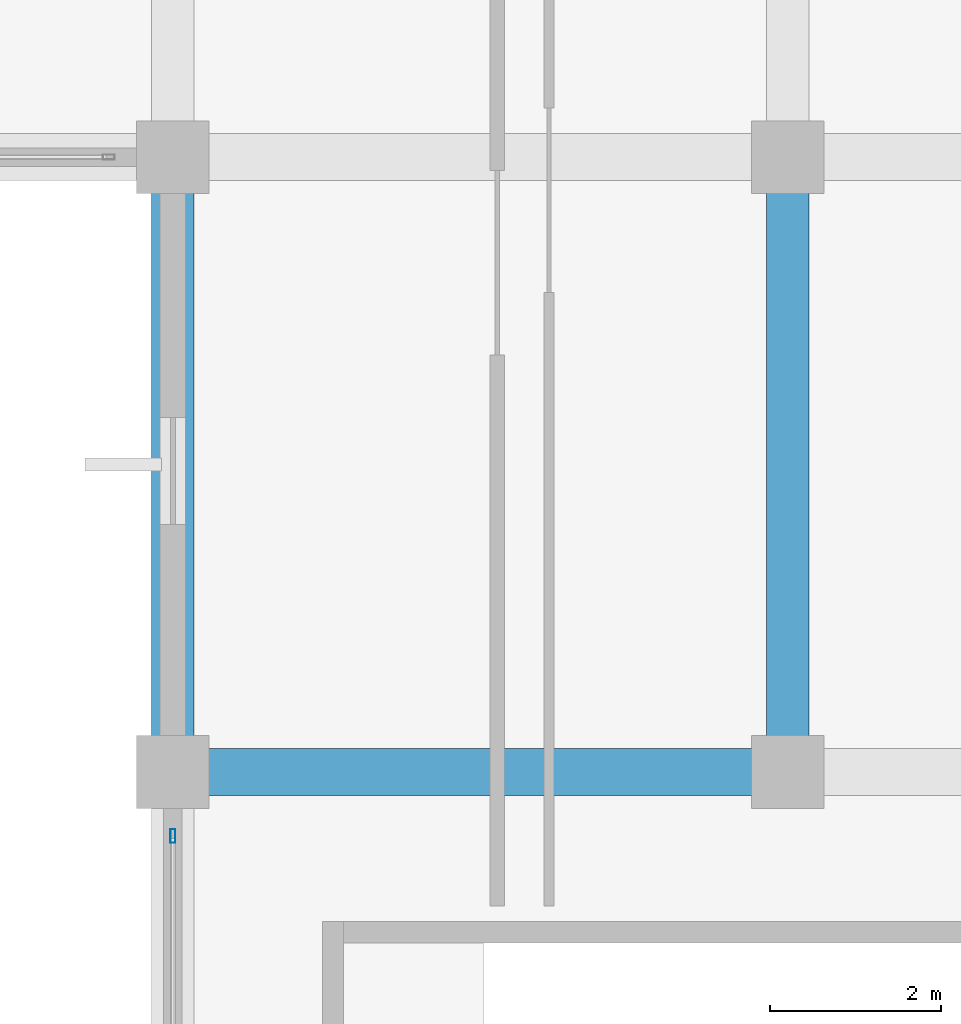
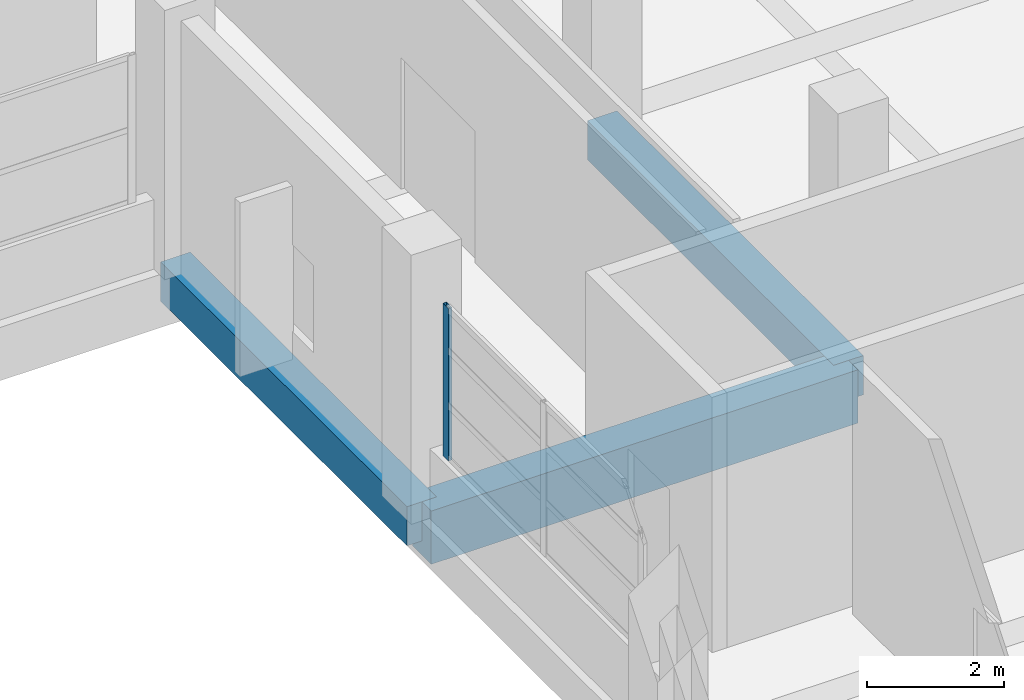
# One storey, part 129 of 181: 3 beams, 1 member, 1 element without a shape of its own.
"""IFC4 building model written with IfcOpenShell, lengths in metres."""

from ifc_helpers import new_model, si_unit, direction, frame, origin, origin_2d, place, context, subcontext, project, spatial, rectangle, hollow_rectangle, extrude, material, layer, layer_set, material_profile, profile_set, type_object, element, aggregate, save


model = new_model("IFC4")

# Units and contexts
model_context = context("Model", 3, precision=1e-05, world=origin(), true_north=direction((0.0, 1.0)))
body_context = subcontext(model_context, "Body", "Model", "MODEL_VIEW")
ifc_project = project(units=[si_unit("LENGTHUNIT", "METRE"), si_unit("AREAUNIT", "SQUARE_METRE"), si_unit("VOLUMEUNIT", "CUBIC_METRE"), si_unit("PLANEANGLEUNIT", "RADIAN"), si_unit("MASSUNIT", "GRAM", prefix="KILO")], contexts=[model_context])

# Site, building, storey
site_placement = place(None, origin())
site = spatial("IfcSite", under=ifc_project, at=site_placement, CompositionType="ELEMENT")
building_placement = place(site_placement, origin())
building = spatial("IfcBuilding", under=site, at=building_placement, Name="Seraya Terrace Polytechnic", CompositionType="ELEMENT")
storey_placement = place(building_placement, frame((0.0, 0.0, 4.800048828125)))
storey = spatial("IfcBuildingStorey", under=building, at=storey_placement, Name="L01", CompositionType="ELEMENT", Elevation=4.800048828125)

# Beams
ifc_material_1 = material(Name="Concrete C40/50", Category="concrete")
ifc_material_profile_1 = material_profile(ifc_material_1, rectangle(XDim=0.550048828125, YDim=0.949951171875, at=origin_2d()), Name="RC 550x950")
ifc_profile_set_1 = profile_set([ifc_material_profile_1], Name="Concrete C40/50")
beam_type_1 = type_object("IfcBeamType", Name="BM-03", PredefinedType="BEAM", material=ifc_profile_set_1)
beam_placement = place(storey_placement, frame((144.0, 64.800048828125, -0.47509765625), z_axis=(1.0, 0.0, 0.0), x_axis=(0.0, 1.0, 0.0)))
element("IfcBeam", 1, at=beam_placement, inside=storey, type_object=beam_type_1, Name="Beam BM-03 L01 X (144.0..151.2, 64.8)", PredefinedType="BEAM", context=body_context, shape_type="SweptSolid", body=[
    extrude(rectangle(XDim=0.550048828125, YDim=0.949951171875, at=origin_2d()), origin(), (0.0, 0.0, 1.0), 7.199951171875),
])
ifc_material_profile_2 = material_profile(ifc_material_1, rectangle(XDim=0.5, YDim=0.699951171875, at=origin_2d()), Name="RC 500x700")
ifc_profile_set_2 = profile_set([ifc_material_profile_2], Name="Concrete C40/50")
beam_type_2 = type_object("IfcBeamType", Name="BM-07", PredefinedType="BEAM", material=ifc_profile_set_2)
for number, where, z_axis, x_axis, name in (
    (2, (144.0, 64.800048828125, -0.35009765625), (0.0, 1.0, 0.0), (-1.0, 0.0, 0.0), "Beam BM-07 L01 Y (144.0, 64.8..72.0)"),
    (3, (151.199951171875, 64.800048828125, -0.35009765625), (0.0, 1.0, 0.0), (-1.0, 0.0, 0.0), "Beam BM-07 L01 Y (151.2, 64.8..72.0)"),
):
    element("IfcBeam", number, at=place(storey_placement, frame(where, z_axis=z_axis, x_axis=x_axis)), inside=storey, type_object=beam_type_2, Name=name, PredefinedType="BEAM", context=body_context, shape_type="SweptSolid", body=[
        extrude(rectangle(XDim=0.5, YDim=0.699951171875, at=origin_2d()), origin(), (0.0, 0.0, 1.0), 7.199951171875),
    ])

# Curtain wall, member
ifc_material_2 = material(Name="Anodised aluminium EN AW-6063 T6", Category="aluminium")
ifc_layer = layer(ifc_material_2, 0.179931640625, Name="CW-11")
ifc_layer_set = layer_set([ifc_layer], Name="Anodised aluminium EN AW-6063 T6")
curtain_wall_type = type_object("IfcCurtainWallType", Name="CW-11", PredefinedType="NOTDEFINED", material=ifc_layer_set)
curtain_wall_placement = place(storey_placement, origin())
curtain_wall = element("IfcCurtainWall", 4, at=curtain_wall_placement, inside=storey, type_object=curtain_wall_type, Name="Unitised curtain wall CW-11 (CW-L01-047)", PredefinedType="NOTDEFINED")
ifc_material_profile_3 = material_profile(ifc_material_2, hollow_rectangle(XDim=0.06005859375, YDim=0.159912109375, WallThickness=0.00341796875, at=origin_2d()), Name="RHS 160x60x3.5")
ifc_profile_set_3 = profile_set([ifc_material_profile_3], Name="Anodised aluminium EN AW-6063 T6")
member_type = type_object("IfcMemberType", Name="CWM-02", PredefinedType="MULLION", material=ifc_profile_set_3)
member_placement = place(storey_placement, frame((144.0, 64.050048828125, 1.239990234375), z_axis=(0.0, 0.0, 1.0), x_axis=(-1.0, 0.0, 0.0)))
member = element("IfcMember", 5, at=member_placement, type_object=member_type, Name="CW-11 mullion 3", PredefinedType="MULLION", context=body_context, shape_type="SweptSolid", body=[
    extrude(hollow_rectangle(XDim=0.06005859375, YDim=0.159912109375, WallThickness=0.00341796875, at=origin_2d()), origin(), (0.0, 0.0, 1.0), 2.719970703125),
])
aggregate(curtain_wall, [member])

save(model, "model.ifc")
